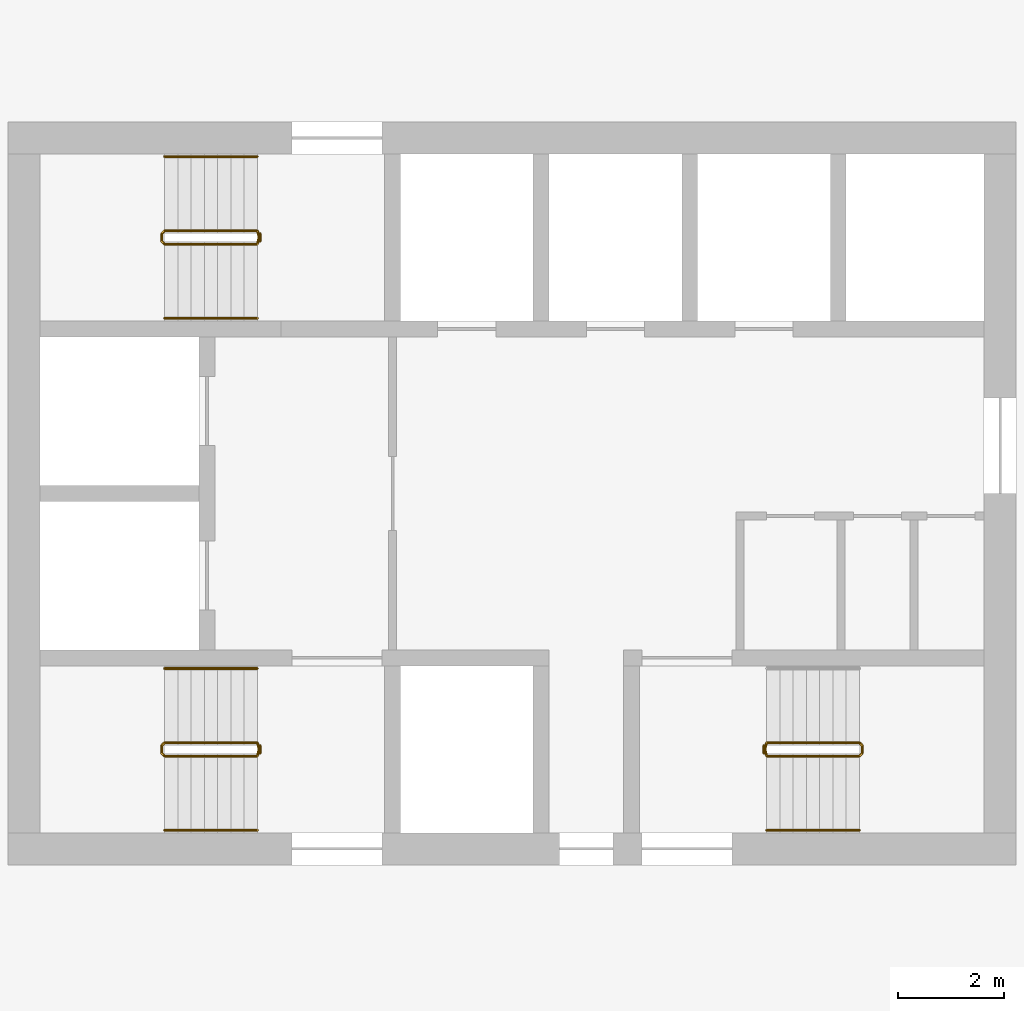
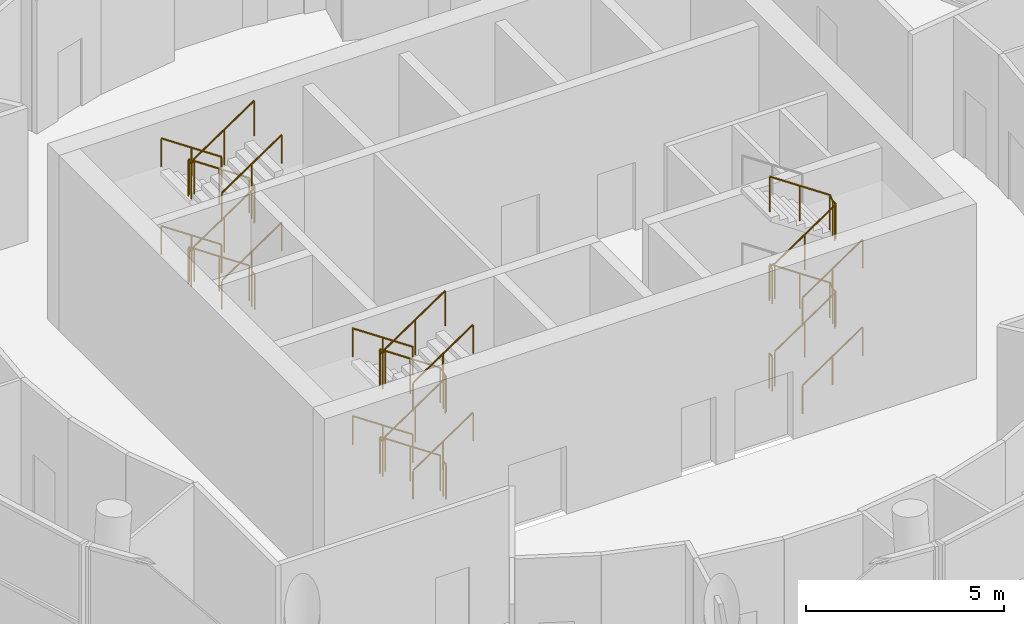
# One storey, part 9 of 10: 16 railings.
"""IFC4 building model written with IfcOpenShell, lengths in metres."""

from ifc_helpers import new_model, si_unit, direction, frame, origin, origin_2d, place, context, subcontext, project, spatial, circle, extrude, material, type_object, element, save


model = new_model("IFC4")

# Units and contexts
model_context = context("Model", 3, precision=1e-05, world=origin(), true_north=direction((0.0, 1.0)))
body_context = subcontext(model_context, "Body", "Model", "MODEL_VIEW")
ifc_project = project(units=[si_unit("LENGTHUNIT", "METRE"), si_unit("AREAUNIT", "SQUARE_METRE"), si_unit("VOLUMEUNIT", "CUBIC_METRE"), si_unit("PLANEANGLEUNIT", "RADIAN"), si_unit("MASSUNIT", "GRAM", prefix="KILO")], contexts=[model_context])

# Site, building, storey
site_placement = place(None, origin())
site = spatial("IfcSite", under=ifc_project, at=site_placement, CompositionType="ELEMENT")
building_placement = place(site_placement, origin())
building = spatial("IfcBuilding", under=site, at=building_placement, Name="Tracery Tower", CompositionType="ELEMENT")
storey_placement = place(building_placement, frame((0.0, 0.0, 336.0)))
storey = spatial("IfcBuildingStorey", under=building, at=storey_placement, Name="L87", CompositionType="ELEMENT", Elevation=336.0)

# Railings
ifc_material_1 = material(Name="Stainless steel and laminated glass", Category="steel")
railing_type_1 = type_object("IfcRailingType", Name="Stair guard 1100", PredefinedType="GUARDRAIL", material=ifc_material_1)
railing_1_placement = place(storey_placement, frame((-4.800048828125, -4.699951171875, 0.168701171875)))
element("IfcRailing", 1, at=railing_1_placement, inside=storey, type_object=railing_type_1, Name="L87 stair ST1 guard 1", PredefinedType="GUARDRAIL", context=body_context, shape_type="SweptSolid", body=[
    extrude(circle(Radius=0.02392578125, at=origin_2d()), frame((0.0, 0.0, 1.076171875), z_axis=(-0.828816501605, 0.0, 0.559520514965), x_axis=(0.0, -1.0, 0.0)), (0.0, 0.0, 1.0), 2.111328125),
    extrude(circle(Radius=0.02392578125, at=origin_2d()), frame((-1.75, 0.0, 2.25732421875), z_axis=(-0.707106781187, -0.707106781187, 0.0), x_axis=(0.707106781187, -0.707106781187, 0.0)), (0.0, 0.0, 1.0), 0.07080078125),
    extrude(circle(Radius=0.02392578125, at=origin_2d()), frame((-1.800048828125, -0.050048828125, 2.25732421875), z_axis=(0.0, -1.0, 0.0), x_axis=(1.0, 0.0, 0.0)), (0.0, 0.0, 1.0), 0.14990234375),
    extrude(circle(Radius=0.02392578125, at=origin_2d()), frame((-1.800048828125, -0.199951171875, 2.25732421875), z_axis=(0.273569069059, -0.273569069059, 0.922127935218), x_axis=(0.707106781187, 0.707106781187, 0.0)), (0.0, 0.0, 1.0), 0.182861328125),
    extrude(circle(Radius=0.02392578125, at=origin_2d()), frame((-1.75, -0.25, 2.42626953125), z_axis=(0.828870122254, 0.0, 0.559441078608), x_axis=(0.0, 1.0, 0.0)), (0.0, 0.0, 1.0), 2.111328125),
    extrude(circle(Radius=0.02392578125, at=origin_2d()), frame((0.0, -0.25, 3.607421875), z_axis=(0.242814311512, 0.970072785993, 0.0), x_axis=(-0.970072785993, 0.242814311512, 0.0)), (0.0, 0.0, 1.0), 0.2060546875),
    extrude(circle(Radius=0.02392578125, at=origin_2d()), frame((0.050048828125, -0.050048828125, 3.607421875), z_axis=(0.0, -1.0, 0.0), x_axis=(1.0, 0.0, 0.0)), (0.0, 0.0, 1.0), 0.14990234375),
    extrude(circle(Radius=0.02392578125, at=origin_2d()), frame((0.050048828125, -0.199951171875, 3.607421875), z_axis=(-0.187902113298, 0.750691857518, 0.633367611166), x_axis=(-0.970072785993, -0.242814311512, 0.0)), (0.0, 0.0, 1.0), 0.266357421875),
    extrude(circle(Radius=0.02392578125, at=origin_2d()), frame((0.0, 0.0, 3.77587890625), z_axis=(-0.828816501605, 0.0, 0.559520514965), x_axis=(0.0, -1.0, 0.0)), (0.0, 0.0, 1.0), 2.111328125),
    extrude(circle(Radius=0.02392578125, at=origin_2d()), frame((-1.75, 0.0, 4.95751953125), z_axis=(-0.707106781187, -0.707106781187, 0.0), x_axis=(0.707106781187, -0.707106781187, 0.0)), (0.0, 0.0, 1.0), 0.07080078125),
    extrude(circle(Radius=0.02392578125, at=origin_2d()), frame((-1.800048828125, -0.050048828125, 4.95751953125), z_axis=(0.0, -1.0, 0.0), x_axis=(1.0, 0.0, 0.0)), (0.0, 0.0, 1.0), 0.14990234375),
    extrude(circle(Radius=0.02392578125, at=origin_2d()), frame((-1.800048828125, -0.199951171875, 4.95751953125), z_axis=(0.273569069059, -0.273569069059, 0.922127935218), x_axis=(0.707106781187, 0.707106781187, 0.0)), (0.0, 0.0, 1.0), 0.182861328125),
    extrude(circle(Radius=0.02392578125, at=origin_2d()), frame((-1.75, -0.25, 5.1259765625), z_axis=(0.828870122254, 0.0, 0.559441078608), x_axis=(0.0, 1.0, 0.0)), (0.0, 0.0, 1.0), 2.111328125),
    extrude(circle(Radius=0.02099609375, at=origin_2d()), origin(), (0.0, 0.0, 1.0), 1.052001953125),
    extrude(circle(Radius=0.02099609375, at=origin_2d()), frame((-0.875, 0.0, 0.5908203125)), (0.0, 0.0, 1.0), 1.052001953125),
    extrude(circle(Radius=0.02099609375, at=origin_2d()), frame((-1.75, 0.0, 1.181396484375)), (0.0, 0.0, 1.0), 1.052001953125),
    extrude(circle(Radius=0.02099609375, at=origin_2d()), frame((-1.800048828125, -0.050048828125, 1.181396484375)), (0.0, 0.0, 1.0), 1.052001953125),
    extrude(circle(Radius=0.02099609375, at=origin_2d()), frame((-1.800048828125, -0.199951171875, 1.181396484375)), (0.0, 0.0, 1.0), 1.052001953125),
    extrude(circle(Radius=0.02099609375, at=origin_2d()), frame((-1.75, -0.25, 1.35009765625)), (0.0, 0.0, 1.0), 1.052001953125),
    extrude(circle(Radius=0.02099609375, at=origin_2d()), frame((-0.875, -0.25, 1.940673828125)), (0.0, 0.0, 1.0), 1.052001953125),
    extrude(circle(Radius=0.02099609375, at=origin_2d()), frame((0.0, -0.25, 2.53125)), (0.0, 0.0, 1.0), 1.052001953125),
    extrude(circle(Radius=0.02099609375, at=origin_2d()), frame((0.050048828125, -0.050048828125, 2.53125)), (0.0, 0.0, 1.0), 1.052001953125),
    extrude(circle(Radius=0.02099609375, at=origin_2d()), frame((0.050048828125, -0.199951171875, 2.53125)), (0.0, 0.0, 1.0), 1.052001953125),
    extrude(circle(Radius=0.02099609375, at=origin_2d()), frame((0.0, 0.0, 2.699951171875)), (0.0, 0.0, 1.0), 1.052001953125),
    extrude(circle(Radius=0.02099609375, at=origin_2d()), frame((-0.875, 0.0, 3.29052734375)), (0.0, 0.0, 1.0), 1.052001953125),
    extrude(circle(Radius=0.02099609375, at=origin_2d()), frame((-1.75, 0.0, 3.88134765625)), (0.0, 0.0, 1.0), 1.052001953125),
    extrude(circle(Radius=0.02099609375, at=origin_2d()), frame((-1.800048828125, -0.050048828125, 3.88134765625)), (0.0, 0.0, 1.0), 1.052001953125),
    extrude(circle(Radius=0.02099609375, at=origin_2d()), frame((-1.800048828125, -0.199951171875, 3.88134765625)), (0.0, 0.0, 1.0), 1.052001953125),
    extrude(circle(Radius=0.02099609375, at=origin_2d()), frame((-1.75, -0.25, 4.050048828125)), (0.0, 0.0, 1.0), 1.052001953125),
    extrude(circle(Radius=0.02099609375, at=origin_2d()), frame((-0.875, -0.25, 4.640625)), (0.0, 0.0, 1.0), 1.052001953125),
    extrude(circle(Radius=0.02099609375, at=origin_2d()), frame((0.0, -0.25, 5.231201171875)), (0.0, 0.0, 1.0), 1.052001953125),
])
railing_2_placement = place(storey_placement, frame((-4.75, -4.75, 0.0)))
element("IfcRailing", 2, at=railing_2_placement, inside=storey, type_object=railing_type_1, Name="L87 stair ST1 guard 2", PredefinedType="GUARDRAIL", context=body_context, shape_type="SweptSolid", body=[
    extrude(circle(Radius=0.02392578125, at=origin_2d()), frame((0.0, 0.0, 1.076171875), z_axis=(0.0, -1.0, 0.0), x_axis=(1.0, 0.0, 0.0)), (0.0, 0.0, 1.0), 0.14990234375),
    extrude(circle(Radius=0.02099609375, at=origin_2d()), origin(), (0.0, 0.0, 1.0), 1.052001953125),
    extrude(circle(Radius=0.02099609375, at=origin_2d()), frame((0.0, -0.14990234375, 0.0)), (0.0, 0.0, 1.0), 1.052001953125),
])
railing_3_placement = place(storey_placement, frame((-4.800048828125, 4.949951171875, 0.168701171875)))
element("IfcRailing", 3, at=railing_3_placement, inside=storey, type_object=railing_type_1, Name="L87 stair ST3 guard 1", PredefinedType="GUARDRAIL", context=body_context, shape_type="SweptSolid", body=[
    extrude(circle(Radius=0.02392578125, at=origin_2d()), frame((0.0, 0.0, 1.076171875), z_axis=(-0.828816501605, 0.0, 0.559520514965), x_axis=(0.0, -1.0, 0.0)), (0.0, 0.0, 1.0), 2.111328125),
    extrude(circle(Radius=0.02392578125, at=origin_2d()), frame((-1.75, 0.0, 2.25732421875), z_axis=(-0.707106781187, -0.707106781187, 0.0), x_axis=(0.707106781187, -0.707106781187, 0.0)), (0.0, 0.0, 1.0), 0.07080078125),
    extrude(circle(Radius=0.02392578125, at=origin_2d()), frame((-1.800048828125, -0.050048828125, 2.25732421875), z_axis=(0.0, -1.0, 0.0), x_axis=(1.0, 0.0, 0.0)), (0.0, 0.0, 1.0), 0.14990234375),
    extrude(circle(Radius=0.02392578125, at=origin_2d()), frame((-1.800048828125, -0.199951171875, 2.25732421875), z_axis=(0.273569069059, -0.273569069059, 0.922127935218), x_axis=(0.707106781187, 0.707106781187, 0.0)), (0.0, 0.0, 1.0), 0.182861328125),
    extrude(circle(Radius=0.02392578125, at=origin_2d()), frame((-1.75, -0.25, 2.42626953125), z_axis=(0.828870122254, 0.0, 0.559441078608), x_axis=(0.0, 1.0, 0.0)), (0.0, 0.0, 1.0), 2.111328125),
    extrude(circle(Radius=0.02392578125, at=origin_2d()), frame((0.0, -0.25, 3.607421875), z_axis=(0.242814311512, 0.970072785993, 0.0), x_axis=(-0.970072785993, 0.242814311512, 0.0)), (0.0, 0.0, 1.0), 0.2060546875),
    extrude(circle(Radius=0.02392578125, at=origin_2d()), frame((0.050048828125, -0.050048828125, 3.607421875), z_axis=(0.0, -1.0, 0.0), x_axis=(1.0, 0.0, 0.0)), (0.0, 0.0, 1.0), 0.14990234375),
    extrude(circle(Radius=0.02392578125, at=origin_2d()), frame((0.050048828125, -0.199951171875, 3.607421875), z_axis=(-0.187902113298, 0.750691857518, 0.633367611166), x_axis=(-0.970072785993, -0.242814311512, 0.0)), (0.0, 0.0, 1.0), 0.266357421875),
    extrude(circle(Radius=0.02392578125, at=origin_2d()), frame((0.0, 0.0, 3.77587890625), z_axis=(-0.828816501605, 0.0, 0.559520514965), x_axis=(0.0, -1.0, 0.0)), (0.0, 0.0, 1.0), 2.111328125),
    extrude(circle(Radius=0.02392578125, at=origin_2d()), frame((-1.75, 0.0, 4.95751953125), z_axis=(-0.707106781187, -0.707106781187, 0.0), x_axis=(0.707106781187, -0.707106781187, 0.0)), (0.0, 0.0, 1.0), 0.07080078125),
    extrude(circle(Radius=0.02392578125, at=origin_2d()), frame((-1.800048828125, -0.050048828125, 4.95751953125), z_axis=(0.0, -1.0, 0.0), x_axis=(1.0, 0.0, 0.0)), (0.0, 0.0, 1.0), 0.14990234375),
    extrude(circle(Radius=0.02392578125, at=origin_2d()), frame((-1.800048828125, -0.199951171875, 4.95751953125), z_axis=(0.273569069059, -0.273569069059, 0.922127935218), x_axis=(0.707106781187, 0.707106781187, 0.0)), (0.0, 0.0, 1.0), 0.182861328125),
    extrude(circle(Radius=0.02392578125, at=origin_2d()), frame((-1.75, -0.25, 5.1259765625), z_axis=(0.828870122254, 0.0, 0.559441078608), x_axis=(0.0, 1.0, 0.0)), (0.0, 0.0, 1.0), 2.111328125),
    extrude(circle(Radius=0.02099609375, at=origin_2d()), origin(), (0.0, 0.0, 1.0), 1.052001953125),
    extrude(circle(Radius=0.02099609375, at=origin_2d()), frame((-0.875, 0.0, 0.5908203125)), (0.0, 0.0, 1.0), 1.052001953125),
    extrude(circle(Radius=0.02099609375, at=origin_2d()), frame((-1.75, 0.0, 1.181396484375)), (0.0, 0.0, 1.0), 1.052001953125),
    extrude(circle(Radius=0.02099609375, at=origin_2d()), frame((-1.800048828125, -0.050048828125, 1.181396484375)), (0.0, 0.0, 1.0), 1.052001953125),
    extrude(circle(Radius=0.02099609375, at=origin_2d()), frame((-1.800048828125, -0.199951171875, 1.181396484375)), (0.0, 0.0, 1.0), 1.052001953125),
    extrude(circle(Radius=0.02099609375, at=origin_2d()), frame((-1.75, -0.25, 1.35009765625)), (0.0, 0.0, 1.0), 1.052001953125),
    extrude(circle(Radius=0.02099609375, at=origin_2d()), frame((-0.875, -0.25, 1.940673828125)), (0.0, 0.0, 1.0), 1.052001953125),
    extrude(circle(Radius=0.02099609375, at=origin_2d()), frame((0.0, -0.25, 2.53125)), (0.0, 0.0, 1.0), 1.052001953125),
    extrude(circle(Radius=0.02099609375, at=origin_2d()), frame((0.050048828125, -0.050048828125, 2.53125)), (0.0, 0.0, 1.0), 1.052001953125),
    extrude(circle(Radius=0.02099609375, at=origin_2d()), frame((0.050048828125, -0.199951171875, 2.53125)), (0.0, 0.0, 1.0), 1.052001953125),
    extrude(circle(Radius=0.02099609375, at=origin_2d()), frame((0.0, 0.0, 2.699951171875)), (0.0, 0.0, 1.0), 1.052001953125),
    extrude(circle(Radius=0.02099609375, at=origin_2d()), frame((-0.875, 0.0, 3.29052734375)), (0.0, 0.0, 1.0), 1.052001953125),
    extrude(circle(Radius=0.02099609375, at=origin_2d()), frame((-1.75, 0.0, 3.88134765625)), (0.0, 0.0, 1.0), 1.052001953125),
    extrude(circle(Radius=0.02099609375, at=origin_2d()), frame((-1.800048828125, -0.050048828125, 3.88134765625)), (0.0, 0.0, 1.0), 1.052001953125),
    extrude(circle(Radius=0.02099609375, at=origin_2d()), frame((-1.800048828125, -0.199951171875, 3.88134765625)), (0.0, 0.0, 1.0), 1.052001953125),
    extrude(circle(Radius=0.02099609375, at=origin_2d()), frame((-1.75, -0.25, 4.050048828125)), (0.0, 0.0, 1.0), 1.052001953125),
    extrude(circle(Radius=0.02099609375, at=origin_2d()), frame((-0.875, -0.25, 4.640625)), (0.0, 0.0, 1.0), 1.052001953125),
    extrude(circle(Radius=0.02099609375, at=origin_2d()), frame((0.0, -0.25, 5.231201171875)), (0.0, 0.0, 1.0), 1.052001953125),
])
railing_4_placement = place(storey_placement, frame((-4.75, 4.89990234375, 0.0)))
element("IfcRailing", 4, at=railing_4_placement, inside=storey, type_object=railing_type_1, Name="L87 stair ST3 guard 2", PredefinedType="GUARDRAIL", context=body_context, shape_type="SweptSolid", body=[
    extrude(circle(Radius=0.02392578125, at=origin_2d()), frame((0.0, 0.0, 1.076171875), z_axis=(0.0, -1.0, 0.0), x_axis=(1.0, 0.0, 0.0)), (0.0, 0.0, 1.0), 0.14990234375),
    extrude(circle(Radius=0.02099609375, at=origin_2d()), origin(), (0.0, 0.0, 1.0), 1.052001953125),
    extrude(circle(Radius=0.02099609375, at=origin_2d()), frame((0.0, -0.14990234375, 0.0)), (0.0, 0.0, 1.0), 1.052001953125),
])
railing_5_placement = place(storey_placement, frame((4.800048828125, -4.949951171875, 0.168701171875)))
element("IfcRailing", 5, at=railing_5_placement, inside=storey, type_object=railing_type_1, Name="L87 stair ST2 guard 1", PredefinedType="GUARDRAIL", context=body_context, shape_type="SweptSolid", body=[
    extrude(circle(Radius=0.02392578125, at=origin_2d()), frame((0.0, 0.0, 1.076171875), z_axis=(0.828816501605, 0.0, 0.559520514965), x_axis=(0.0, 1.0, 0.0)), (0.0, 0.0, 1.0), 2.111328125),
    extrude(circle(Radius=0.02392578125, at=origin_2d()), frame((1.75, 0.0, 2.25732421875), z_axis=(0.707106781187, 0.707106781187, 0.0), x_axis=(-0.707106781187, 0.707106781187, 0.0)), (0.0, 0.0, 1.0), 0.07080078125),
    extrude(circle(Radius=0.02392578125, at=origin_2d()), frame((1.800048828125, 0.050048828125, 2.25732421875), z_axis=(0.0, 1.0, 0.0), x_axis=(-1.0, 0.0, 0.0)), (0.0, 0.0, 1.0), 0.14990234375),
    extrude(circle(Radius=0.02392578125, at=origin_2d()), frame((1.800048828125, 0.199951171875, 2.25732421875), z_axis=(-0.273569069059, 0.273569069059, 0.922127935218), x_axis=(-0.707106781187, -0.707106781187, 0.0)), (0.0, 0.0, 1.0), 0.182861328125),
    extrude(circle(Radius=0.02392578125, at=origin_2d()), frame((1.75, 0.25, 2.42626953125), z_axis=(-0.828870122254, 0.0, 0.559441078608), x_axis=(0.0, -1.0, 0.0)), (0.0, 0.0, 1.0), 2.111328125),
    extrude(circle(Radius=0.02392578125, at=origin_2d()), frame((0.0, 0.25, 3.607421875), z_axis=(-0.242814311512, -0.970072785993, 0.0), x_axis=(0.970072785993, -0.242814311512, 0.0)), (0.0, 0.0, 1.0), 0.2060546875),
    extrude(circle(Radius=0.02392578125, at=origin_2d()), frame((-0.050048828125, 0.050048828125, 3.607421875), z_axis=(0.0, 1.0, 0.0), x_axis=(-1.0, 0.0, 0.0)), (0.0, 0.0, 1.0), 0.14990234375),
    extrude(circle(Radius=0.02392578125, at=origin_2d()), frame((-0.050048828125, 0.199951171875, 3.607421875), z_axis=(0.187902113298, -0.750691857518, 0.633367611166), x_axis=(0.970072785993, 0.242814311512, 0.0)), (0.0, 0.0, 1.0), 0.266357421875),
    extrude(circle(Radius=0.02392578125, at=origin_2d()), frame((0.0, 0.0, 3.77587890625), z_axis=(0.828816501605, 0.0, 0.559520514965), x_axis=(0.0, 1.0, 0.0)), (0.0, 0.0, 1.0), 2.111328125),
    extrude(circle(Radius=0.02392578125, at=origin_2d()), frame((1.75, 0.0, 4.95751953125), z_axis=(0.707106781187, 0.707106781187, 0.0), x_axis=(-0.707106781187, 0.707106781187, 0.0)), (0.0, 0.0, 1.0), 0.07080078125),
    extrude(circle(Radius=0.02392578125, at=origin_2d()), frame((1.800048828125, 0.050048828125, 4.95751953125), z_axis=(0.0, 1.0, 0.0), x_axis=(-1.0, 0.0, 0.0)), (0.0, 0.0, 1.0), 0.14990234375),
    extrude(circle(Radius=0.02392578125, at=origin_2d()), frame((1.800048828125, 0.199951171875, 4.95751953125), z_axis=(-0.273569069059, 0.273569069059, 0.922127935218), x_axis=(-0.707106781187, -0.707106781187, 0.0)), (0.0, 0.0, 1.0), 0.182861328125),
    extrude(circle(Radius=0.02392578125, at=origin_2d()), frame((1.75, 0.25, 5.1259765625), z_axis=(-0.828870122254, 0.0, 0.559441078608), x_axis=(0.0, -1.0, 0.0)), (0.0, 0.0, 1.0), 2.111328125),
    extrude(circle(Radius=0.02099609375, at=origin_2d()), origin(), (0.0, 0.0, 1.0), 1.052001953125),
    extrude(circle(Radius=0.02099609375, at=origin_2d()), frame((0.875, 0.0, 0.5908203125)), (0.0, 0.0, 1.0), 1.052001953125),
    extrude(circle(Radius=0.02099609375, at=origin_2d()), frame((1.75, 0.0, 1.181396484375)), (0.0, 0.0, 1.0), 1.052001953125),
    extrude(circle(Radius=0.02099609375, at=origin_2d()), frame((1.800048828125, 0.050048828125, 1.181396484375)), (0.0, 0.0, 1.0), 1.052001953125),
    extrude(circle(Radius=0.02099609375, at=origin_2d()), frame((1.800048828125, 0.199951171875, 1.181396484375)), (0.0, 0.0, 1.0), 1.052001953125),
    extrude(circle(Radius=0.02099609375, at=origin_2d()), frame((1.75, 0.25, 1.35009765625)), (0.0, 0.0, 1.0), 1.052001953125),
    extrude(circle(Radius=0.02099609375, at=origin_2d()), frame((0.875, 0.25, 1.940673828125)), (0.0, 0.0, 1.0), 1.052001953125),
    extrude(circle(Radius=0.02099609375, at=origin_2d()), frame((0.0, 0.25, 2.53125)), (0.0, 0.0, 1.0), 1.052001953125),
    extrude(circle(Radius=0.02099609375, at=origin_2d()), frame((-0.050048828125, 0.050048828125, 2.53125)), (0.0, 0.0, 1.0), 1.052001953125),
    extrude(circle(Radius=0.02099609375, at=origin_2d()), frame((-0.050048828125, 0.199951171875, 2.53125)), (0.0, 0.0, 1.0), 1.052001953125),
    extrude(circle(Radius=0.02099609375, at=origin_2d()), frame((0.0, 0.0, 2.699951171875)), (0.0, 0.0, 1.0), 1.052001953125),
    extrude(circle(Radius=0.02099609375, at=origin_2d()), frame((0.875, 0.0, 3.29052734375)), (0.0, 0.0, 1.0), 1.052001953125),
    extrude(circle(Radius=0.02099609375, at=origin_2d()), frame((1.75, 0.0, 3.88134765625)), (0.0, 0.0, 1.0), 1.052001953125),
    extrude(circle(Radius=0.02099609375, at=origin_2d()), frame((1.800048828125, 0.050048828125, 3.88134765625)), (0.0, 0.0, 1.0), 1.052001953125),
    extrude(circle(Radius=0.02099609375, at=origin_2d()), frame((1.800048828125, 0.199951171875, 3.88134765625)), (0.0, 0.0, 1.0), 1.052001953125),
    extrude(circle(Radius=0.02099609375, at=origin_2d()), frame((1.75, 0.25, 4.050048828125)), (0.0, 0.0, 1.0), 1.052001953125),
    extrude(circle(Radius=0.02099609375, at=origin_2d()), frame((0.875, 0.25, 4.640625)), (0.0, 0.0, 1.0), 1.052001953125),
    extrude(circle(Radius=0.02099609375, at=origin_2d()), frame((0.0, 0.25, 5.231201171875)), (0.0, 0.0, 1.0), 1.052001953125),
])
railing_6_placement = place(storey_placement, frame((4.75, -4.89990234375, 0.0)))
element("IfcRailing", 6, at=railing_6_placement, inside=storey, type_object=railing_type_1, Name="L87 stair ST2 guard 2", PredefinedType="GUARDRAIL", context=body_context, shape_type="SweptSolid", body=[
    extrude(circle(Radius=0.02392578125, at=origin_2d()), frame((0.0, 0.0, 1.076171875), z_axis=(0.0, 1.0, 0.0), x_axis=(-1.0, 0.0, 0.0)), (0.0, 0.0, 1.0), 0.14990234375),
    extrude(circle(Radius=0.02099609375, at=origin_2d()), origin(), (0.0, 0.0, 1.0), 1.052001953125),
    extrude(circle(Radius=0.02099609375, at=origin_2d()), frame((0.0, 0.14990234375, 0.0)), (0.0, 0.0, 1.0), 1.052001953125),
])
ifc_material_2 = material(Name="Stainless steel and laminated glass", Category="steel")
railing_type_2 = type_object("IfcRailingType", Name="Stair handrail 900", PredefinedType="HANDRAIL", material=ifc_material_2)
railing_7_placement = place(storey_placement, frame((-4.800048828125, -3.300048828125, 0.168701171875)))
element("IfcRailing", 7, at=railing_7_placement, inside=storey, type_object=railing_type_2, Name="L87 stair ST1 handrail 1", PredefinedType="HANDRAIL", context=body_context, shape_type="SweptSolid", body=[
    extrude(circle(Radius=0.02392578125, at=origin_2d()), frame((0.0, 0.0, 0.8759765625), z_axis=(-0.828816501605, 0.0, 0.559520514965), x_axis=(0.0, -1.0, 0.0)), (0.0, 0.0, 1.0), 2.111328125),
    extrude(circle(Radius=0.02099609375, at=origin_2d()), origin(), (0.0, 0.0, 1.0), 0.851806640625),
    extrude(circle(Radius=0.02099609375, at=origin_2d()), frame((-0.875, 0.0, 0.5908203125)), (0.0, 0.0, 1.0), 0.851806640625),
    extrude(circle(Radius=0.02099609375, at=origin_2d()), frame((-1.75, 0.0, 1.181396484375)), (0.0, 0.0, 1.0), 0.851806640625),
])
railing_8_placement = place(storey_placement, frame((-6.550048828125, -6.35009765625, 1.518798828125)))
element("IfcRailing", 8, at=railing_8_placement, inside=storey, type_object=railing_type_2, Name="L87 stair ST1 handrail 2", PredefinedType="HANDRAIL", context=body_context, shape_type="SweptSolid", body=[
    extrude(circle(Radius=0.02392578125, at=origin_2d()), frame((0.0, 0.0, 0.8759765625), z_axis=(0.828870122254, 0.0, 0.559441078608), x_axis=(0.0, 1.0, 0.0)), (0.0, 0.0, 1.0), 2.111328125),
    extrude(circle(Radius=0.02099609375, at=origin_2d()), origin(), (0.0, 0.0, 1.0), 0.851806640625),
    extrude(circle(Radius=0.02099609375, at=origin_2d()), frame((0.875, 0.0, 0.590576171875)), (0.0, 0.0, 1.0), 0.851806640625),
    extrude(circle(Radius=0.02099609375, at=origin_2d()), frame((1.75, 0.0, 1.18115234375)), (0.0, 0.0, 1.0), 0.851806640625),
])
railing_9_placement = place(storey_placement, frame((-4.800048828125, -3.300048828125, 2.86865234375)))
element("IfcRailing", 9, at=railing_9_placement, inside=storey, type_object=railing_type_2, Name="L87 stair ST1 handrail 3", PredefinedType="HANDRAIL", context=body_context, shape_type="SweptSolid", body=[
    extrude(circle(Radius=0.02392578125, at=origin_2d()), frame((0.0, 0.0, 0.8759765625), z_axis=(-0.828816501605, 0.0, 0.559520514965), x_axis=(0.0, -1.0, 0.0)), (0.0, 0.0, 1.0), 2.111328125),
    extrude(circle(Radius=0.02099609375, at=origin_2d()), origin(), (0.0, 0.0, 1.0), 0.851806640625),
    extrude(circle(Radius=0.02099609375, at=origin_2d()), frame((-0.875, 0.0, 0.5908203125)), (0.0, 0.0, 1.0), 0.851806640625),
    extrude(circle(Radius=0.02099609375, at=origin_2d()), frame((-1.75, 0.0, 1.181396484375)), (0.0, 0.0, 1.0), 0.851806640625),
])
railing_10_placement = place(storey_placement, frame((-6.550048828125, -6.35009765625, 4.21875)))
element("IfcRailing", 10, at=railing_10_placement, inside=storey, type_object=railing_type_2, Name="L87 stair ST1 handrail 4", PredefinedType="HANDRAIL", context=body_context, shape_type="SweptSolid", body=[
    extrude(circle(Radius=0.02392578125, at=origin_2d()), frame((0.0, 0.0, 0.8759765625), z_axis=(0.828870122254, 0.0, 0.559441078608), x_axis=(0.0, 1.0, 0.0)), (0.0, 0.0, 1.0), 2.111328125),
    extrude(circle(Radius=0.02099609375, at=origin_2d()), origin(), (0.0, 0.0, 1.0), 0.851806640625),
    extrude(circle(Radius=0.02099609375, at=origin_2d()), frame((0.875, 0.0, 0.590576171875)), (0.0, 0.0, 1.0), 0.851806640625),
    extrude(circle(Radius=0.02099609375, at=origin_2d()), frame((1.75, 0.0, 1.18115234375)), (0.0, 0.0, 1.0), 0.851806640625),
])
railing_11_placement = place(storey_placement, frame((-4.800048828125, 6.35009765625, 0.168701171875)))
element("IfcRailing", 11, at=railing_11_placement, inside=storey, type_object=railing_type_2, Name="L87 stair ST3 handrail 1", PredefinedType="HANDRAIL", context=body_context, shape_type="SweptSolid", body=[
    extrude(circle(Radius=0.02392578125, at=origin_2d()), frame((0.0, 0.0, 0.8759765625), z_axis=(-0.828816501605, 0.0, 0.559520514965), x_axis=(0.0, -1.0, 0.0)), (0.0, 0.0, 1.0), 2.111328125),
    extrude(circle(Radius=0.02099609375, at=origin_2d()), origin(), (0.0, 0.0, 1.0), 0.851806640625),
    extrude(circle(Radius=0.02099609375, at=origin_2d()), frame((-0.875, 0.0, 0.5908203125)), (0.0, 0.0, 1.0), 0.851806640625),
    extrude(circle(Radius=0.02099609375, at=origin_2d()), frame((-1.75, 0.0, 1.181396484375)), (0.0, 0.0, 1.0), 0.851806640625),
])
railing_12_placement = place(storey_placement, frame((-6.550048828125, 3.300048828125, 1.518798828125)))
element("IfcRailing", 12, at=railing_12_placement, inside=storey, type_object=railing_type_2, Name="L87 stair ST3 handrail 2", PredefinedType="HANDRAIL", context=body_context, shape_type="SweptSolid", body=[
    extrude(circle(Radius=0.02392578125, at=origin_2d()), frame((0.0, 0.0, 0.8759765625), z_axis=(0.828870122254, 0.0, 0.559441078608), x_axis=(0.0, 1.0, 0.0)), (0.0, 0.0, 1.0), 2.111328125),
    extrude(circle(Radius=0.02099609375, at=origin_2d()), origin(), (0.0, 0.0, 1.0), 0.851806640625),
    extrude(circle(Radius=0.02099609375, at=origin_2d()), frame((0.875, 0.0, 0.590576171875)), (0.0, 0.0, 1.0), 0.851806640625),
    extrude(circle(Radius=0.02099609375, at=origin_2d()), frame((1.75, 0.0, 1.18115234375)), (0.0, 0.0, 1.0), 0.851806640625),
])
railing_13_placement = place(storey_placement, frame((-4.800048828125, 6.35009765625, 2.86865234375)))
element("IfcRailing", 13, at=railing_13_placement, inside=storey, type_object=railing_type_2, Name="L87 stair ST3 handrail 3", PredefinedType="HANDRAIL", context=body_context, shape_type="SweptSolid", body=[
    extrude(circle(Radius=0.02392578125, at=origin_2d()), frame((0.0, 0.0, 0.8759765625), z_axis=(-0.828816501605, 0.0, 0.559520514965), x_axis=(0.0, -1.0, 0.0)), (0.0, 0.0, 1.0), 2.111328125),
    extrude(circle(Radius=0.02099609375, at=origin_2d()), origin(), (0.0, 0.0, 1.0), 0.851806640625),
    extrude(circle(Radius=0.02099609375, at=origin_2d()), frame((-0.875, 0.0, 0.5908203125)), (0.0, 0.0, 1.0), 0.851806640625),
    extrude(circle(Radius=0.02099609375, at=origin_2d()), frame((-1.75, 0.0, 1.181396484375)), (0.0, 0.0, 1.0), 0.851806640625),
])
railing_14_placement = place(storey_placement, frame((-6.550048828125, 3.300048828125, 4.21875)))
element("IfcRailing", 14, at=railing_14_placement, inside=storey, type_object=railing_type_2, Name="L87 stair ST3 handrail 4", PredefinedType="HANDRAIL", context=body_context, shape_type="SweptSolid", body=[
    extrude(circle(Radius=0.02392578125, at=origin_2d()), frame((0.0, 0.0, 0.8759765625), z_axis=(0.828870122254, 0.0, 0.559441078608), x_axis=(0.0, 1.0, 0.0)), (0.0, 0.0, 1.0), 2.111328125),
    extrude(circle(Radius=0.02099609375, at=origin_2d()), origin(), (0.0, 0.0, 1.0), 0.851806640625),
    extrude(circle(Radius=0.02099609375, at=origin_2d()), frame((0.875, 0.0, 0.590576171875)), (0.0, 0.0, 1.0), 0.851806640625),
    extrude(circle(Radius=0.02099609375, at=origin_2d()), frame((1.75, 0.0, 1.18115234375)), (0.0, 0.0, 1.0), 0.851806640625),
])
for number, where, name in (
    (15, (4.800048828125, -6.35009765625, 0.168701171875), "L87 stair ST2 handrail 1"),
    (16, (4.800048828125, -6.35009765625, 2.86865234375), "L87 stair ST2 handrail 3"),
):
    element("IfcRailing", number, at=place(storey_placement, frame(where)), inside=storey, type_object=railing_type_2, Name=name, PredefinedType="HANDRAIL", context=body_context, shape_type="SweptSolid", body=[
        extrude(circle(Radius=0.02392578125, at=origin_2d()), frame((0.0, 0.0, 0.8759765625), z_axis=(0.828816501605, 0.0, 0.559520514965), x_axis=(0.0, 1.0, 0.0)), (0.0, 0.0, 1.0), 2.111328125),
        extrude(circle(Radius=0.02099609375, at=origin_2d()), origin(), (0.0, 0.0, 1.0), 0.851806640625),
        extrude(circle(Radius=0.02099609375, at=origin_2d()), frame((0.875, 0.0, 0.5908203125)), (0.0, 0.0, 1.0), 0.851806640625),
        extrude(circle(Radius=0.02099609375, at=origin_2d()), frame((1.75, 0.0, 1.181396484375)), (0.0, 0.0, 1.0), 0.851806640625),
    ])

save(model, "model.ifc")
